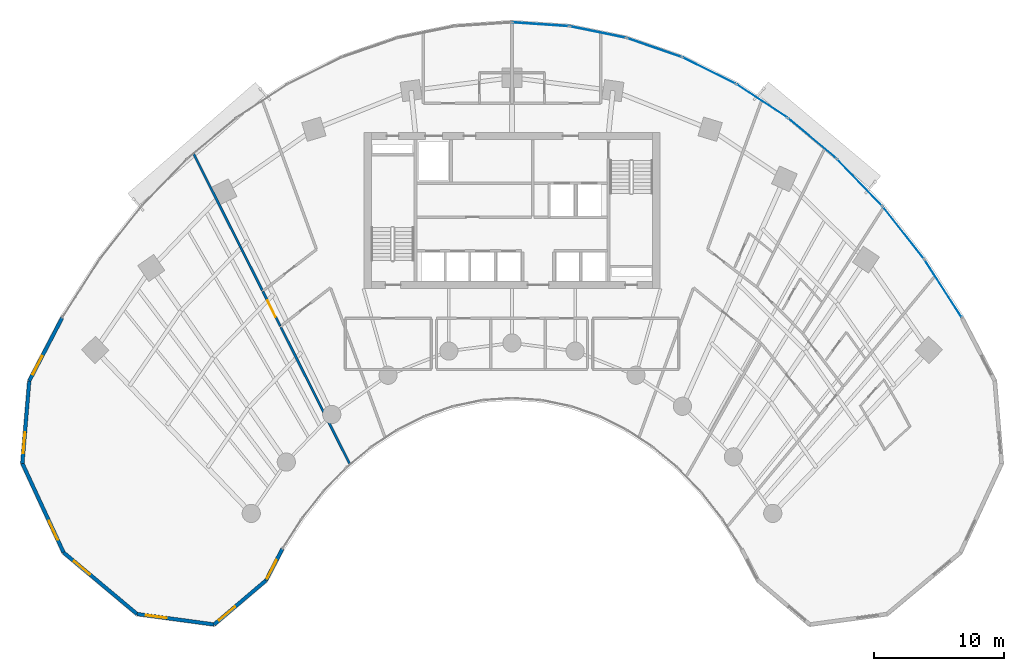
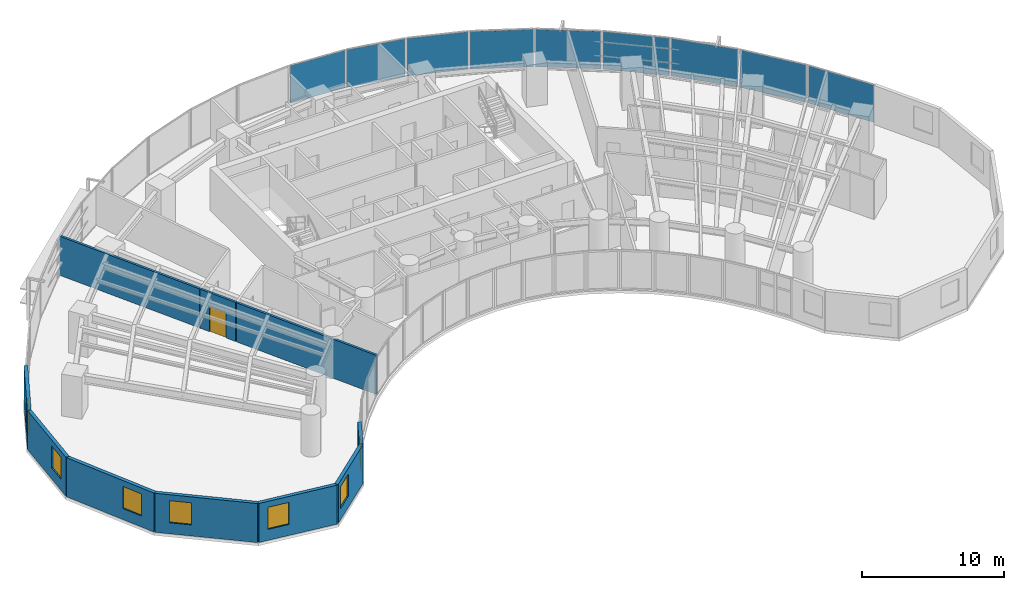
# One storey, part 10 of 17: 10 walls, 9 plates, 7 windows, 1 door, 8 openings, 9 elements without a shape of their own.
"""IFC4 building model written with IfcOpenShell, lengths in metres."""

from ifc_helpers import new_model, si_unit, direction, frame, frame_2d, origin, origin_2d, place, context, subcontext, project, spatial, rectangle, extrude, source, transform, mapped, material, layer, layer_set, type_object, type_shapes, element, fill, aggregate, save


model = new_model("IFC4")

# Units and contexts
model_context = context("Model", 3, precision=1e-05, world=origin(), true_north=direction((0.0, 1.0)))
body_context = subcontext(model_context, "Body", "Model", "MODEL_VIEW")
ifc_project = project(units=[si_unit("LENGTHUNIT", "METRE"), si_unit("AREAUNIT", "SQUARE_METRE"), si_unit("VOLUMEUNIT", "CUBIC_METRE"), si_unit("PLANEANGLEUNIT", "RADIAN"), si_unit("MASSUNIT", "GRAM", prefix="KILO")], contexts=[model_context])

# Site, building, storey
site_placement = place(None, origin())
site = spatial("IfcSite", under=ifc_project, at=site_placement, CompositionType="ELEMENT")
building_placement = place(site_placement, origin())
building = spatial("IfcBuilding", under=site, at=building_placement, Name="Breltana Convention Tower", CompositionType="ELEMENT")
storey_placement = place(building_placement, frame((0.0, 0.0, 64.199951171875)))
storey = spatial("IfcBuildingStorey", under=building, at=storey_placement, Name="L14", CompositionType="ELEMENT", Elevation=64.199951171875)

# Curtain wall, plate
ifc_material_1 = material(Name="Aluminium Anodised Bronze Frame", Category="aluminium")
ifc_layer_1 = layer(ifc_material_1, 0.199951171875, Name="Aluminium Anodised Bronze Frame")
ifc_layer_set_1 = layer_set([ifc_layer_1], Name="Aluminium Anodised Bronze Frame")
curtain_wall_type = type_object("IfcCurtainWallType", Name="CW-SYS-2", PredefinedType="NOTDEFINED", material=ifc_layer_set_1)
curtain_wall_1_placement = place(storey_placement, origin())
curtain_wall_1 = element("IfcCurtainWall", 1, at=curtain_wall_1_placement, inside=storey, type_object=curtain_wall_type, Name="L14 outer double-skin inner glazing 17", PredefinedType="NOTDEFINED")
ifc_material_2 = material(Name="Glass Low-E Double Glazing", Category="glass")
ifc_layer_2 = layer(ifc_material_2, 0.031982421875, Name="Glass Low-E Double Glazing")
ifc_layer_set_2 = layer_set([ifc_layer_2], Name="Glass Low-E Double Glazing")
plate_type = type_object("IfcPlateType", Name="CWP-IGU-32", PredefinedType="CURTAIN_PANEL", material=ifc_layer_set_2)
shared_shape_1 = source(origin(), body_context, "Body", "SweptSolid", [
    extrude(rectangle(XDim=5.0546875, YDim=0.031982421875, at=origin_2d()), origin(), (0.0, 0.0, 1.0), 3.219970703125),
])
plate_1_placement = place(storey_placement, frame((78.038818359375, 64.504638671875, 0.06982421875), z_axis=(0.0, 0.0, 1.0), x_axis=(0.618153917633, -0.786057080698, 0.0)))
plate_1 = element("IfcPlate", 2, at=plate_1_placement, type_object=plate_type, Name="CW-02 panel 1.1", PredefinedType="CURTAIN_PANEL", context=body_context, shape_type="MappedRepresentation", body=[
    mapped(shared_shape_1, transform((0.0, 0.0, 0.0), scale=1.0)),
])
aggregate(curtain_wall_1, [plate_1])

curtain_wall_2_placement = place(storey_placement, origin())
curtain_wall_2 = element("IfcCurtainWall", 3, at=curtain_wall_2_placement, inside=storey, type_object=curtain_wall_type, Name="L14 outer double-skin inner glazing 16", PredefinedType="NOTDEFINED")
shared_shape_2 = source(origin(), body_context, "Body", "SweptSolid", [
    extrude(rectangle(XDim=4.901123046875, YDim=0.031982421875, at=origin_2d()), origin(), (0.0, 0.0, 1.0), 3.219970703125),
])
plate_2_placement = place(storey_placement, frame((74.682373046875, 68.359619140625, 0.06982421875), z_axis=(0.0, 0.0, 1.0), x_axis=(0.694610090106, -0.719386421003, 0.0)))
plate_2 = element("IfcPlate", 4, at=plate_2_placement, type_object=plate_type, Name="CW-02 panel 1.1", PredefinedType="CURTAIN_PANEL", context=body_context, shape_type="MappedRepresentation", body=[
    mapped(shared_shape_2, transform((0.0, 0.0, 0.0), scale=1.0)),
])
aggregate(curtain_wall_2, [plate_2])

curtain_wall_3_placement = place(storey_placement, origin())
curtain_wall_3 = element("IfcCurtainWall", 5, at=curtain_wall_3_placement, inside=storey, type_object=curtain_wall_type, Name="L14 outer double-skin inner glazing 15", PredefinedType="NOTDEFINED")
shared_shape_3 = source(origin(), body_context, "Body", "SweptSolid", [
    extrude(rectangle(XDim=4.7509765625, YDim=0.031982421875, at=origin_2d()), origin(), (0.0, 0.0, 1.0), 3.219970703125),
])
plate_3_placement = place(storey_placement, frame((71.0537109375, 71.7392578125, 0.06982421875), z_axis=(0.0, 0.0, 1.0), x_axis=(0.767941326958, -0.640520193554, 0.0)))
plate_3 = element("IfcPlate", 6, at=plate_3_placement, type_object=plate_type, Name="CW-02 panel 1.1", PredefinedType="CURTAIN_PANEL", context=body_context, shape_type="MappedRepresentation", body=[
    mapped(shared_shape_3, transform((0.0, 0.0, 0.0), scale=1.0)),
])
aggregate(curtain_wall_3, [plate_3])

curtain_wall_4_placement = place(storey_placement, origin())
curtain_wall_4 = element("IfcCurtainWall", 7, at=curtain_wall_4_placement, inside=storey, type_object=curtain_wall_type, Name="L14 outer double-skin inner glazing 14", PredefinedType="NOTDEFINED")
shared_shape_4 = source(origin(), body_context, "Body", "SweptSolid", [
    extrude(rectangle(XDim=4.610595703125, YDim=0.031982421875, at=origin_2d()), origin(), (0.0, 0.0, 1.0), 3.219970703125),
])
plate_4_placement = place(storey_placement, frame((67.18994140625, 74.609130859375, 0.06982421875), z_axis=(0.0, 0.0, 1.0), x_axis=(0.83596401875, -0.548784255746, 0.0)))
plate_4 = element("IfcPlate", 8, at=plate_4_placement, type_object=plate_type, Name="CW-02 panel 1.1", PredefinedType="CURTAIN_PANEL", context=body_context, shape_type="MappedRepresentation", body=[
    mapped(shared_shape_4, transform((0.0, 0.0, 0.0), scale=1.0)),
])
aggregate(curtain_wall_4, [plate_4])

curtain_wall_5_placement = place(storey_placement, origin())
curtain_wall_5 = element("IfcCurtainWall", 9, at=curtain_wall_5_placement, inside=storey, type_object=curtain_wall_type, Name="L14 outer double-skin inner glazing 13", PredefinedType="NOTDEFINED")
shared_shape_5 = source(origin(), body_context, "Body", "SweptSolid", [
    extrude(rectangle(XDim=4.487548828125, YDim=0.031982421875, at=origin_2d()), origin(), (0.0, 0.0, 1.0), 3.219970703125),
])
plate_5_placement = place(storey_placement, frame((63.13134765625, 76.940185546875, 0.06982421875), z_axis=(0.0, 0.0, 1.0), x_axis=(0.895973407804, -0.444107703726, 0.0)))
plate_5 = element("IfcPlate", 10, at=plate_5_placement, type_object=plate_type, Name="CW-02 panel 1.1", PredefinedType="CURTAIN_PANEL", context=body_context, shape_type="MappedRepresentation", body=[
    mapped(shared_shape_5, transform((0.0, 0.0, 0.0), scale=1.0)),
])
aggregate(curtain_wall_5, [plate_5])

curtain_wall_6_placement = place(storey_placement, origin())
curtain_wall_6 = element("IfcCurtainWall", 11, at=curtain_wall_6_placement, inside=storey, type_object=curtain_wall_type, Name="L14 outer double-skin inner glazing 12", PredefinedType="NOTDEFINED")
shared_shape_6 = source(origin(), body_context, "Body", "SweptSolid", [
    extrude(rectangle(XDim=4.388427734375, YDim=0.031982421875, at=origin_2d()), origin(), (0.0, 0.0, 1.0), 3.219970703125),
])
plate_6_placement = place(storey_placement, frame((58.9189453125, 78.709228515625, 0.06982421875), z_axis=(0.0, 0.0, 1.0), x_axis=(0.944876012163, -0.32742834581, 0.0)))
plate_6 = element("IfcPlate", 12, at=plate_6_placement, type_object=plate_type, Name="CW-02 panel 1.1", PredefinedType="CURTAIN_PANEL", context=body_context, shape_type="MappedRepresentation", body=[
    mapped(shared_shape_6, transform((0.0, 0.0, 0.0), scale=1.0)),
])
aggregate(curtain_wall_6, [plate_6])

curtain_wall_7_placement = place(storey_placement, origin())
curtain_wall_7 = element("IfcCurtainWall", 13, at=curtain_wall_7_placement, inside=storey, type_object=curtain_wall_type, Name="L14 outer double-skin inner glazing 11", PredefinedType="NOTDEFINED")
shared_shape_7 = source(origin(), body_context, "Body", "SweptSolid", [
    extrude(rectangle(XDim=4.318359375, YDim=0.031982421875, at=origin_2d()), origin(), (0.0, 0.0, 1.0), 3.219970703125),
])
plate_7_placement = place(storey_placement, frame((54.595703125, 79.898193359375, 0.06982421875), z_axis=(0.0, 0.0, 1.0), x_axis=(0.979614925743, -0.200884537139, 0.0)))
plate_7 = element("IfcPlate", 14, at=plate_7_placement, type_object=plate_type, Name="CW-02 panel 1.1", PredefinedType="CURTAIN_PANEL", context=body_context, shape_type="MappedRepresentation", body=[
    mapped(shared_shape_7, transform((0.0, 0.0, 0.0), scale=1.0)),
])
aggregate(curtain_wall_7, [plate_7])

curtain_wall_8_placement = place(storey_placement, origin())
curtain_wall_8 = element("IfcCurtainWall", 15, at=curtain_wall_8_placement, inside=storey, type_object=curtain_wall_type, Name="L14 outer double-skin inner glazing 10", PredefinedType="NOTDEFINED")
shared_shape_8 = source(origin(), body_context, "Body", "SweptSolid", [
    extrude(rectangle(XDim=4.2822265625, YDim=0.031982421875, at=origin_2d()), origin(), (0.0, 0.0, 1.0), 3.219970703125),
])
plate_8_placement = place(storey_placement, frame((50.2060546875, 80.495849609375, 0.06982421875), z_axis=(0.0, 0.0, 1.0), x_axis=(0.997703982282, -0.067725650529, 0.0)))
plate_8 = element("IfcPlate", 16, at=plate_8_placement, type_object=plate_type, Name="CW-02 panel 1.1", PredefinedType="CURTAIN_PANEL", context=body_context, shape_type="MappedRepresentation", body=[
    mapped(shared_shape_8, transform((0.0, 0.0, 0.0), scale=1.0)),
])
aggregate(curtain_wall_8, [plate_8])

curtain_wall_9_placement = place(storey_placement, origin())
curtain_wall_9 = element("IfcCurtainWall", 17, at=curtain_wall_9_placement, inside=storey, type_object=curtain_wall_type, Name="L14 outer double-skin inner glazing 18", PredefinedType="NOTDEFINED")
shared_shape_9 = source(origin(), body_context, "Body", "SweptSolid", [
    extrude(rectangle(XDim=5.20556640625, YDim=0.031982421875, at=origin_2d()), origin(), (0.0, 0.0, 1.0), 3.219970703125),
])
plate_9_placement = place(storey_placement, frame((81.088134765625, 60.2138671875, 0.06982421875), z_axis=(0.0, 0.0, 1.0), x_axis=(0.540180724109, -0.841549039154, 0.0)))
plate_9 = element("IfcPlate", 18, at=plate_9_placement, type_object=plate_type, Name="CW-02 panel 1.1", PredefinedType="CURTAIN_PANEL", context=body_context, shape_type="MappedRepresentation", body=[
    mapped(shared_shape_9, transform((0.0, 0.0, 0.0), scale=1.0)),
])
aggregate(curtain_wall_9, [plate_9])

# Wall, opening, window
ifc_material_3 = material(Name="Limestone Buff Insulated Wall", Category="masonry")
ifc_layer_3 = layer(ifc_material_3, 0.280029296875, Name="Limestone Buff Insulated Wall")
ifc_layer_set_3 = layer_set([ifc_layer_3], Name="Limestone Buff Insulated Wall")
wall_type_1 = type_object("IfcWallType", Name="WL-EXT-NOSE-280", PredefinedType="SOLIDWALL", material=ifc_layer_set_3)
shared_shape_10 = source(origin(), body_context, "Body", "SweptSolid", [
    extrude(rectangle(XDim=6.3525390625, YDim=0.280029296875, at=frame_2d((3.17626953125, 0.0))), origin(), (0.0, 0.0, 1.0), 3.360107421875),
])
wall_1_placement = place(storey_placement, frame((10.417724609375, 46.79150390625, 0.0), z_axis=(0.0, 0.0, 1.0), x_axis=(0.083319001377, 0.996522926986, 0.0)))
wall_1 = element("IfcWall", 19, at=wall_1_placement, inside=storey, type_object=wall_type_1, Name="L14 curved limestone nose wall W6", PredefinedType="SOLIDWALL", context=body_context, shape_type="MappedRepresentation", body=[
    mapped(shared_shape_10, transform((0.0, 0.0, 0.0), scale=1.0)),
])
opening_1_placement = place(wall_1_placement, frame((0.7880859375, 0.0, 0.949951171875)))
opening_1 = element("IfcOpeningElement", 20, at=opening_1_placement, cuts=wall_1, Name="Opening W-04", PredefinedType="OPENING", context=body_context, shape_type="SweptSolid", body=[
    extrude(rectangle(XDim=1.60009765625, YDim=1.89990234375, at=frame_2d((0.800048828125, 0.949951171875))), frame((0.0, 0.14990234375, 0.0), z_axis=(0.0, -1.0, 0.0), x_axis=(1.0, 0.0, 0.0)), (0.0, 0.0, 1.0), 0.300048828125),
])
ifc_material_4 = material(Name="Glass Low-E Insulated Window", Category="glass")
window_type = type_object("IfcWindowType", Name="WN-NOSE-1600X1900", PartitioningType="SINGLE_PANEL", PredefinedType="WINDOW", material=ifc_material_4)
shared_shape_11 = source(origin(), body_context, "Body", "SweptSolid", [
    extrude(rectangle(XDim=1.60009765625, YDim=1.89990234375, at=frame_2d((0.800048828125, 0.949951171875))), frame((0.0, 0.030029296875, 0.0), z_axis=(0.0, -1.0, 0.0), x_axis=(1.0, 0.0, 0.0)), (0.0, 0.0, 1.0), 0.06005859375),
])
type_shapes(window_type, [shared_shape_11])
window_1_placement = place(opening_1_placement, origin())
window_1 = element("IfcWindow", 21, at=window_1_placement, inside=storey, type_object=window_type, Name="L14 nose window W6", OverallHeight=1.89990234375, OverallWidth=1.60009765625, PartitioningType="SINGLE_PANEL", PredefinedType="WINDOW", context=body_context, shape_type="MappedRepresentation", body=[
    mapped(shared_shape_11, transform((0.0, 0.0, 0.0), scale=1.0)),
])
fill(opening_1, window_1)

shared_shape_12 = source(origin(), body_context, "Body", "SweptSolid", [
    extrude(rectangle(XDim=7.536376953125, YDim=0.280029296875, at=frame_2d((3.76806640625, 0.0))), origin(), (0.0, 0.0, 1.0), 3.360107421875),
])
wall_2_placement = place(storey_placement, frame((13.580322265625, 39.950927734375, 0.0), z_axis=(0.0, 0.0, 1.0), x_axis=(-0.41964973873, 0.907686122393, 0.0)))
wall_2 = element("IfcWall", 22, at=wall_2_placement, inside=storey, type_object=wall_type_1, Name="L14 curved limestone nose wall W5", PredefinedType="SOLIDWALL", context=body_context, shape_type="MappedRepresentation", body=[
    mapped(shared_shape_12, transform((0.0, 0.0, 0.0), scale=1.0)),
])
opening_2_placement = place(wall_2_placement, frame((1.083984375, 0.0, 0.949951171875)))
opening_2 = element("IfcOpeningElement", 23, at=opening_2_placement, cuts=wall_2, Name="Opening W-04", PredefinedType="OPENING", context=body_context, shape_type="SweptSolid", body=[
    extrude(rectangle(XDim=1.60009765625, YDim=1.89990234375, at=frame_2d((0.800048828125, 0.949951171875))), frame((0.0, 0.14990234375, 0.0), z_axis=(0.0, -1.0, 0.0), x_axis=(1.0, 0.0, 0.0)), (0.0, 0.0, 1.0), 0.300048828125),
])
window_2_placement = place(opening_2_placement, origin())
window_2 = element("IfcWindow", 24, at=window_2_placement, inside=storey, type_object=window_type, Name="L14 nose window W5", OverallHeight=1.89990234375, OverallWidth=1.60009765625, PartitioningType="SINGLE_PANEL", PredefinedType="WINDOW", context=body_context, shape_type="MappedRepresentation", body=[
    mapped(shared_shape_11, transform((0.0, 0.0, 0.0), scale=1.0)),
])
fill(opening_2, window_2)

shared_shape_13 = source(origin(), body_context, "Body", "SweptSolid", [
    extrude(rectangle(XDim=7.35888671875, YDim=0.280029296875, at=frame_2d((3.679443359375, 0.0))), origin(), (0.0, 0.0, 1.0), 3.360107421875),
])
wall_3_placement = place(storey_placement, frame((19.22265625, 35.226806640625, 0.0), z_axis=(0.0, 0.0, 1.0), x_axis=(-0.766737165543, 0.641961150675, 0.0)))
wall_3 = element("IfcWall", 25, at=wall_3_placement, inside=storey, type_object=wall_type_1, Name="L14 curved limestone nose wall W4", PredefinedType="SOLIDWALL", context=body_context, shape_type="MappedRepresentation", body=[
    mapped(shared_shape_13, transform((0.0, 0.0, 0.0), scale=1.0)),
])
opening_3_placement = place(wall_3_placement, frame((4.71923828125, 0.0, 0.949951171875)))
opening_3 = element("IfcOpeningElement", 26, at=opening_3_placement, cuts=wall_3, Name="Opening W-04", PredefinedType="OPENING", context=body_context, shape_type="SweptSolid", body=[
    extrude(rectangle(XDim=1.60009765625, YDim=1.89990234375, at=frame_2d((0.800048828125, 0.949951171875))), frame((0.0, 0.14990234375, 0.0), z_axis=(0.0, -1.0, 0.0), x_axis=(1.0, 0.0, 0.0)), (0.0, 0.0, 1.0), 0.300048828125),
])
window_3_placement = place(opening_3_placement, origin())
window_3 = element("IfcWindow", 27, at=window_3_placement, inside=storey, type_object=window_type, Name="L14 nose window W4", OverallHeight=1.89990234375, OverallWidth=1.60009765625, PartitioningType="SINGLE_PANEL", PredefinedType="WINDOW", context=body_context, shape_type="MappedRepresentation", body=[
    mapped(shared_shape_11, transform((0.0, 0.0, 0.0), scale=1.0)),
])
fill(opening_3, window_3)

shared_shape_14 = source(origin(), body_context, "Body", "SweptSolid", [
    extrude(rectangle(XDim=5.96728515625, YDim=0.280029296875, at=frame_2d((2.983642578125, 0.0))), origin(), (0.0, 0.0, 1.0), 3.360107421875),
])
wall_4_placement = place(storey_placement, frame((25.1357421875, 34.4248046875, 0.0), z_axis=(0.0, 0.0, 1.0), x_axis=(-0.990927009341, 0.134401124099, 0.0)))
wall_4 = element("IfcWall", 28, at=wall_4_placement, inside=storey, type_object=wall_type_1, Name="L14 curved limestone nose wall W3", PredefinedType="SOLIDWALL", context=body_context, shape_type="MappedRepresentation", body=[
    mapped(shared_shape_14, transform((0.0, 0.0, 0.0), scale=1.0)),
])
opening_4_placement = place(wall_4_placement, frame((3.675537109375, 0.0, 0.949951171875)))
opening_4 = element("IfcOpeningElement", 29, at=opening_4_placement, cuts=wall_4, Name="Opening W-04", PredefinedType="OPENING", context=body_context, shape_type="SweptSolid", body=[
    extrude(rectangle(XDim=1.60009765625, YDim=1.89990234375, at=frame_2d((0.800048828125, 0.949951171875))), frame((0.0, 0.14990234375, 0.0), z_axis=(0.0, -1.0, 0.0), x_axis=(1.0, 0.0, 0.0)), (0.0, 0.0, 1.0), 0.300048828125),
])
window_4_placement = place(opening_4_placement, origin())
window_4 = element("IfcWindow", 30, at=window_4_placement, inside=storey, type_object=window_type, Name="L14 nose window W3", OverallHeight=1.89990234375, OverallWidth=1.60009765625, PartitioningType="SINGLE_PANEL", PredefinedType="WINDOW", context=body_context, shape_type="MappedRepresentation", body=[
    mapped(shared_shape_11, transform((0.0, 0.0, 0.0), scale=1.0)),
])
fill(opening_4, window_4)

shared_shape_15 = source(origin(), body_context, "Body", "SweptSolid", [
    extrude(rectangle(XDim=5.222412109375, YDim=0.280029296875, at=frame_2d((2.611328125, 0.0))), origin(), (0.0, 0.0, 1.0), 3.360107421875),
])
wall_5_placement = place(storey_placement, frame((29.11474609375, 37.807373046875, 0.0), z_axis=(0.0, 0.0, 1.0), x_axis=(-0.761900099546, -0.647694556339, 0.0)))
wall_5 = element("IfcWall", 31, at=wall_5_placement, inside=storey, type_object=wall_type_1, Name="L14 curved limestone nose wall W2", PredefinedType="SOLIDWALL", context=body_context, shape_type="MappedRepresentation", body=[
    mapped(shared_shape_15, transform((0.0, 0.0, 0.0), scale=1.0)),
])
opening_5_placement = place(wall_5_placement, frame((3.11669921875, 0.0, 0.949951171875)))
opening_5 = element("IfcOpeningElement", 32, at=opening_5_placement, cuts=wall_5, Name="Opening W-04", PredefinedType="OPENING", context=body_context, shape_type="SweptSolid", body=[
    extrude(rectangle(XDim=1.60009765625, YDim=1.89990234375, at=frame_2d((0.800048828125, 0.949951171875))), frame((0.0, 0.14990234375, 0.0), z_axis=(0.0, -1.0, 0.0), x_axis=(1.0, 0.0, 0.0)), (0.0, 0.0, 1.0), 0.300048828125),
])
window_5_placement = place(opening_5_placement, origin())
window_5 = element("IfcWindow", 33, at=window_5_placement, inside=storey, type_object=window_type, Name="L14 nose window W2", OverallHeight=1.89990234375, OverallWidth=1.60009765625, PartitioningType="SINGLE_PANEL", PredefinedType="WINDOW", context=body_context, shape_type="MappedRepresentation", body=[
    mapped(shared_shape_11, transform((0.0, 0.0, 0.0), scale=1.0)),
])
fill(opening_5, window_5)

shared_shape_16 = source(origin(), body_context, "Body", "SweptSolid", [
    extrude(rectangle(XDim=2.7353515625, YDim=0.280029296875, at=frame_2d((1.36767578125, 0.0))), origin(), (0.0, 0.0, 1.0), 3.360107421875),
])
wall_6_placement = place(storey_placement, frame((30.3779296875, 40.233642578125, 0.0), z_axis=(0.0, 0.0, 1.0), x_axis=(-0.46179107292, -0.886988728774, 0.0)))
wall_6 = element("IfcWall", 34, at=wall_6_placement, inside=storey, type_object=wall_type_1, Name="L14 curved limestone nose wall W1", PredefinedType="SOLIDWALL", context=body_context, shape_type="MappedRepresentation", body=[
    mapped(shared_shape_16, transform((0.0, 0.0, 0.0), scale=1.0)),
])
opening_6_placement = place(wall_6_placement, frame((0.9755859375, 0.0, 0.949951171875)))
opening_6 = element("IfcOpeningElement", 35, at=opening_6_placement, cuts=wall_6, Name="Opening W-04", PredefinedType="OPENING", context=body_context, shape_type="SweptSolid", body=[
    extrude(rectangle(XDim=1.60009765625, YDim=1.89990234375, at=frame_2d((0.800048828125, 0.949951171875))), frame((0.0, 0.14990234375, 0.0), z_axis=(0.0, -1.0, 0.0), x_axis=(1.0, 0.0, 0.0)), (0.0, 0.0, 1.0), 0.300048828125),
])
window_6_placement = place(opening_6_placement, origin())
window_6 = element("IfcWindow", 36, at=window_6_placement, inside=storey, type_object=window_type, Name="L14 nose window W1", OverallHeight=1.89990234375, OverallWidth=1.60009765625, PartitioningType="SINGLE_PANEL", PredefinedType="WINDOW", context=body_context, shape_type="MappedRepresentation", body=[
    mapped(shared_shape_11, transform((0.0, 0.0, 0.0), scale=1.0)),
])
fill(opening_6, window_6)

shared_shape_17 = source(origin(), body_context, "Body", "SweptSolid", [
    extrude(rectangle(XDim=5.45947265625, YDim=0.280029296875, at=frame_2d((2.729736328125, 0.0))), origin(), (0.0, 0.0, 1.0), 3.360107421875),
])
wall_7_placement = place(storey_placement, frame((10.947021484375, 53.1220703125, 0.0), z_axis=(0.0, 0.0, 1.0), x_axis=(0.461768054321, 0.887000712518, 0.0)))
wall_7 = element("IfcWall", 37, at=wall_7_placement, inside=storey, type_object=wall_type_1, Name="L14 curved limestone nose wall W7", PredefinedType="SOLIDWALL", context=body_context, shape_type="MappedRepresentation", body=[
    mapped(shared_shape_17, transform((0.0, 0.0, 0.0), scale=1.0)),
])
opening_7_placement = place(wall_7_placement, frame((0.56494140625, 0.0, 0.949951171875)))
opening_7 = element("IfcOpeningElement", 38, at=opening_7_placement, cuts=wall_7, Name="Opening W-04", PredefinedType="OPENING", context=body_context, shape_type="SweptSolid", body=[
    extrude(rectangle(XDim=1.60009765625, YDim=1.89990234375, at=frame_2d((0.800048828125, 0.949951171875))), frame((0.0, 0.14990234375, 0.0), z_axis=(0.0, -1.0, 0.0), x_axis=(1.0, 0.0, 0.0)), (0.0, 0.0, 1.0), 0.300048828125),
])
window_7_placement = place(opening_7_placement, origin())
window_7 = element("IfcWindow", 39, at=window_7_placement, inside=storey, type_object=window_type, Name="L14 nose window W7", OverallHeight=1.89990234375, OverallWidth=1.60009765625, PartitioningType="SINGLE_PANEL", PredefinedType="WINDOW", context=body_context, shape_type="MappedRepresentation", body=[
    mapped(shared_shape_11, transform((0.0, 0.0, 0.0), scale=1.0)),
])
fill(opening_7, window_7)

# Wall, opening, door
ifc_material_5 = material(Name="Moisture-Resistant Gypsum Chase Wall")
ifc_layer_4 = layer(ifc_material_5, 0.179931640625, Name="Moisture-Resistant Gypsum Chase Wall")
ifc_layer_set_4 = layer_set([ifc_layer_4], Name="Moisture-Resistant Gypsum Chase Wall")
wall_type_2 = type_object("IfcWallType", Name="WL-PLUMB-180", PredefinedType="PLUMBINGWALL", material=ifc_layer_set_4)
shared_shape_18 = source(origin(), body_context, "Body", "SweptSolid", [
    extrude(rectangle(XDim=2.985107421875, YDim=0.179931640625, at=frame_2d((1.49267578125, 0.0))), origin(), (0.0, 0.0, 1.0), 3.360107421875),
])
wall_8_placement = place(storey_placement, frame((30.2177734375, 57.326904296875, 0.0), z_axis=(0.0, 0.0, 1.0), x_axis=(-0.449665526069, 0.893197018952, 0.0)))
wall_8 = element("IfcWall", 40, at=wall_8_placement, inside=storey, type_object=wall_type_2, Name="L14 interior partition W-L14-SPAW-ENT", PredefinedType="PLUMBINGWALL", context=body_context, shape_type="MappedRepresentation", body=[
    mapped(shared_shape_18, transform((0.0, 0.0, 0.0), scale=1.0)),
])
opening_8_placement = place(wall_8_placement, frame((0.79248046875, 0.0, 0.0)))
opening_8 = element("IfcOpeningElement", 41, at=opening_8_placement, cuts=wall_8, Name="Opening D-05", PredefinedType="OPENING", context=body_context, shape_type="SweptSolid", body=[
    extrude(rectangle(XDim=1.39990234375, YDim=2.14990234375, at=frame_2d((0.699951171875, 1.074951171875))), frame((0.0, 0.10009765625, 0.0), z_axis=(0.0, -1.0, 0.0), x_axis=(1.0, 0.0, 0.0)), (0.0, 0.0, 1.0), 0.199951171875),
])
ifc_material_6 = material(Name="Timber Veneer Glazed Double Door", Category="wood")
door_type = type_object("IfcDoorType", Name="DR-DBL-1400", OperationType="DOUBLE_DOOR_SINGLE_SWING", PredefinedType="DOOR", material=ifc_material_6)
shared_shape_19 = source(origin(), body_context, "Body", "SweptSolid", [
    extrude(rectangle(XDim=1.39990234375, YDim=2.14990234375, at=frame_2d((0.699951171875, 1.074951171875))), frame((0.0, 0.02490234375, 0.0), z_axis=(0.0, -1.0, 0.0), x_axis=(1.0, 0.0, 0.0)), (0.0, 0.0, 1.0), 0.050048828125),
])
type_shapes(door_type, [shared_shape_19])
door_placement = place(opening_8_placement, origin())
door = element("IfcDoor", 42, at=door_placement, inside=storey, type_object=door_type, Name="L14 interior door D-L14-SPAW", OperationType="SINGLE_SWING_LEFT", OverallHeight=2.14990234375, OverallWidth=1.39990234375, PredefinedType="DOOR", context=body_context, shape_type="MappedRepresentation", body=[
    mapped(shared_shape_19, transform((0.0, 0.0, 0.0), scale=1.0)),
])
fill(opening_8, door)

# Walls
shared_shape_20 = source(origin(), body_context, "Body", "SweptSolid", [
    extrude(rectangle(XDim=11.760986328125, YDim=0.179931640625, at=frame_2d((5.88037109375, 0.0))), origin(), (0.0, 0.0, 1.0), 3.360107421875),
])
wall_9_placement = place(storey_placement, frame((28.842041015625, 60.059814453125, 0.0), z_axis=(0.0, 0.0, 1.0), x_axis=(-0.449611686329, 0.893224121661, 0.0)))
element("IfcWall", 43, at=wall_9_placement, inside=storey, type_object=wall_type_2, Name="L14 interior partition W-L14-SPAO1-RA", PredefinedType="PLUMBINGWALL", context=body_context, shape_type="MappedRepresentation", body=[
    mapped(shared_shape_20, transform((0.0, 0.0, 0.0), scale=1.0)),
])
shared_shape_21 = source(origin(), body_context, "Body", "SweptSolid", [
    extrude(rectangle(XDim=11.81103515625, YDim=0.179931640625, at=frame_2d((5.905517578125, 0.0))), origin(), (0.0, 0.0, 1.0), 3.360107421875),
])
wall_10_placement = place(storey_placement, frame((35.561767578125, 46.71044921875, 0.0), z_axis=(0.0, 0.0, 1.0), x_axis=(-0.449626289102, 0.893216771086, 0.0)))
element("IfcWall", 44, at=wall_10_placement, inside=storey, type_object=wall_type_2, Name="L14 interior partition W-L14-SPAI1-RA", PredefinedType="PLUMBINGWALL", context=body_context, shape_type="MappedRepresentation", body=[
    mapped(shared_shape_21, transform((0.0, 0.0, 0.0), scale=1.0)),
])

save(model, "model.ifc")
